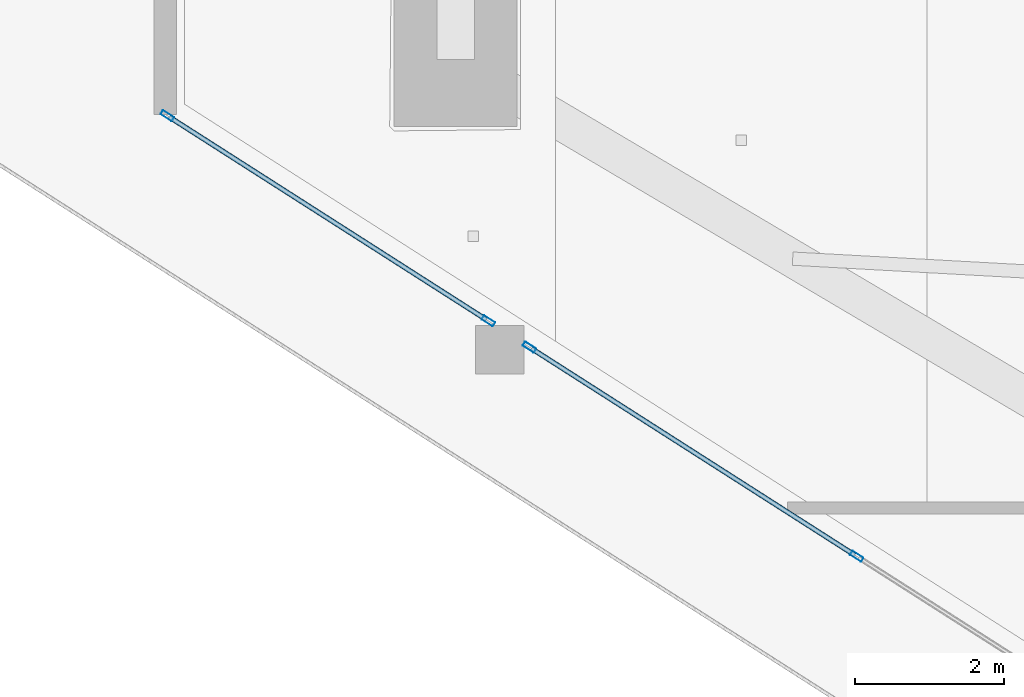
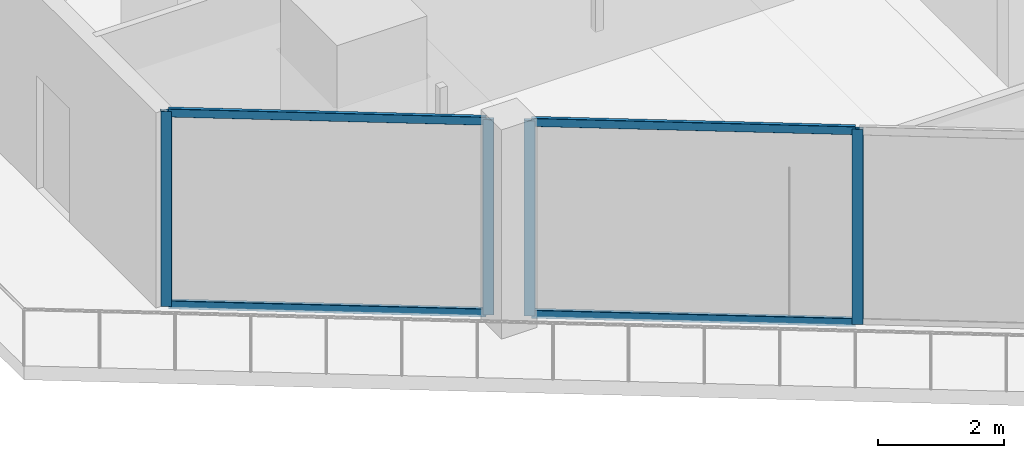
# One storey, part 6 of 33: 8 members, 2 elements without a shape of their own.
"""IFC4 building model written with IfcOpenShell, lengths in metres."""

from ifc_helpers import new_model, si_unit, direction, frame, origin, origin_2d, place, context, subcontext, project, spatial, hollow_rectangle, extrude, material, layer, layer_set, material_profile, profile_set, type_object, element, aggregate, save


model = new_model("IFC4")

# Units and contexts
model_context = context("Model", 3, precision=1e-05, world=origin(), true_north=direction((0.0, 1.0)))
body_context = subcontext(model_context, "Body", "Model", "MODEL_VIEW")
ifc_project = project(units=[si_unit("LENGTHUNIT", "METRE"), si_unit("AREAUNIT", "SQUARE_METRE"), si_unit("VOLUMEUNIT", "CUBIC_METRE"), si_unit("PLANEANGLEUNIT", "RADIAN"), si_unit("MASSUNIT", "GRAM", prefix="KILO")], contexts=[model_context])

# Site, building, storey
site_placement = place(None, origin())
site = spatial("IfcSite", under=ifc_project, at=site_placement, CompositionType="ELEMENT")
building_placement = place(site_placement, origin())
building = spatial("IfcBuilding", under=site, at=building_placement, Name="Qorvath Tower", CompositionType="ELEMENT")
storey_placement = place(building_placement, frame((0.0, 0.0, 221.25)))
storey = spatial("IfcBuildingStorey", under=building, at=storey_placement, Name="L51", CompositionType="ELEMENT", Elevation=221.25)

# Curtain wall, members
ifc_material_1 = material(Name="Anodised aluminium and triple low-E glass", Category="aluminium")
ifc_layer = layer(ifc_material_1, 0.179931640625)
ifc_layer_set = layer_set([ifc_layer], Name="CW-SYS-3")
curtain_wall_type = type_object("IfcCurtainWallType", Name="CW-SYS-3", PredefinedType="NOTDEFINED", material=ifc_layer_set)
curtain_wall_1_placement = place(storey_placement, origin())
curtain_wall_1 = element("IfcCurtainWall", 1, at=curtain_wall_1_placement, inside=storey, type_object=curtain_wall_type, Name="Curtain Wall CW-3 CW-T-L51-2.1", PredefinedType="NOTDEFINED")
ifc_material_2 = material(Name="Anodised aluminium 6063-T6", Category="aluminium")
ifc_material_profile_1 = material_profile(ifc_material_2, hollow_rectangle(XDim=0.06494140625, YDim=0.179931640625, WallThickness=0.00341796875, InnerFilletRadius=0.00341796875, OuterFilletRadius=0.007080078125, at=origin_2d()), Name="CWM 180x65")
ifc_profile_set_1 = profile_set([ifc_material_profile_1], Name="Anodised aluminium 6063-T6")
member_type_1 = type_object("IfcMemberType", Name="CWM-180", PredefinedType="MULLION", material=ifc_profile_set_1)
member_1_placement = place(storey_placement, frame((-53.04052734375, -3.284423828125, 0.0), z_axis=(0.0, 0.0, 1.0), x_axis=(0.53855312183, 0.842591558804, 0.0)))
member_1 = element("IfcMember", 2, at=member_1_placement, type_object=member_type_1, Name="CW-3 mullion 1", PredefinedType="MULLION", context=body_context, shape_type="SweptSolid", body=[
    extrude(hollow_rectangle(XDim=0.06494140625, YDim=0.179931640625, WallThickness=0.00341796875, InnerFilletRadius=0.00341796875, OuterFilletRadius=0.007080078125, at=origin_2d()), origin(), (0.0, 0.0, 1.0), 3.780029296875),
])
member_2_placement = place(storey_placement, frame((-48.7333984375, -6.037109375, 0.0), z_axis=(0.0, 0.0, 1.0), x_axis=(0.53855312183, 0.842591558804, 0.0)))
member_2 = element("IfcMember", 3, at=member_2_placement, type_object=member_type_1, Name="CW-3 mullion 2", PredefinedType="MULLION", context=body_context, shape_type="SweptSolid", body=[
    extrude(hollow_rectangle(XDim=0.06494140625, YDim=0.179931640625, WallThickness=0.00341796875, InnerFilletRadius=0.00341796875, OuterFilletRadius=0.007080078125, at=origin_2d()), origin(), (0.0, 0.0, 1.0), 3.780029296875),
])

curtain_wall_2_placement = place(storey_placement, origin())
curtain_wall_2 = element("IfcCurtainWall", 4, at=curtain_wall_2_placement, inside=storey, type_object=curtain_wall_type, Name="Curtain Wall CW-3 CW-T-L51-2.2", PredefinedType="NOTDEFINED")
member_3_placement = place(storey_placement, frame((-48.18115234375, -6.39013671875, 0.0), z_axis=(0.0, 0.0, 1.0), x_axis=(0.538534785809, 0.842603278224, 0.0)))
member_3 = element("IfcMember", 5, at=member_3_placement, type_object=member_type_1, Name="CW-3 mullion 1", PredefinedType="MULLION", context=body_context, shape_type="SweptSolid", body=[
    extrude(hollow_rectangle(XDim=0.06494140625, YDim=0.179931640625, WallThickness=0.00341796875, InnerFilletRadius=0.00341796875, OuterFilletRadius=0.007080078125, at=origin_2d()), origin(), (0.0, 0.0, 1.0), 3.780029296875),
])
member_4_placement = place(storey_placement, frame((-43.791259765625, -9.19580078125, 0.0), z_axis=(0.0, 0.0, 1.0), x_axis=(0.538534785809, 0.842603278224, 0.0)))
member_4 = element("IfcMember", 6, at=member_4_placement, type_object=member_type_1, Name="CW-3 mullion 2", PredefinedType="MULLION", context=body_context, shape_type="SweptSolid", body=[
    extrude(hollow_rectangle(XDim=0.06494140625, YDim=0.179931640625, WallThickness=0.00341796875, InnerFilletRadius=0.00341796875, OuterFilletRadius=0.007080078125, at=origin_2d()), origin(), (0.0, 0.0, 1.0), 3.780029296875),
])

# Member
ifc_material_3 = material(Name="Anodised aluminium 6063-T6", Category="aluminium")
ifc_material_profile_2 = material_profile(ifc_material_3, hollow_rectangle(XDim=0.06494140625, YDim=0.159912109375, WallThickness=0.00341796875, InnerFilletRadius=0.00341796875, OuterFilletRadius=0.007080078125, at=origin_2d()), Name="CWT 160x65")
ifc_profile_set_2 = profile_set([ifc_material_profile_2], Name="Anodised aluminium 6063-T6")
member_type_2 = type_object("IfcMemberType", Name="CWT-160", PredefinedType="USERDEFINED", material=ifc_profile_set_2)
member_5_placement = place(storey_placement, frame((-53.01318359375, -3.3017578125, 0.032470703125), z_axis=(0.842576132209, -0.538577256697, 0.0), x_axis=(0.538577256697, 0.842576132209, 0.0)))
member_5 = element("IfcMember", 7, at=member_5_placement, type_object=member_type_2, Name="CW-3 transom 1.1", ObjectType="TRANSOM", PredefinedType="USERDEFINED", context=body_context, shape_type="SweptSolid", body=[
    extrude(hollow_rectangle(XDim=0.06494140625, YDim=0.159912109375, WallThickness=0.00341796875, InnerFilletRadius=0.00341796875, OuterFilletRadius=0.007080078125, at=origin_2d()), origin(), (0.0, 0.0, 1.0), 5.046630859375),
])

member_6_placement = place(storey_placement, frame((-53.01318359375, -3.3017578125, 3.74755859375), z_axis=(0.842576132209, -0.538577256697, 0.0), x_axis=(0.538577256697, 0.842576132209, 0.0)))
member_6 = element("IfcMember", 8, at=member_6_placement, type_object=member_type_2, Name="CW-3 transom 1.2", ObjectType="TRANSOM", PredefinedType="USERDEFINED", context=body_context, shape_type="SweptSolid", body=[
    extrude(hollow_rectangle(XDim=0.06494140625, YDim=0.159912109375, WallThickness=0.00341796875, InnerFilletRadius=0.00341796875, OuterFilletRadius=0.007080078125, at=origin_2d()), origin(), (0.0, 0.0, 1.0), 5.046630859375),
])

aggregate(curtain_wall_1, [member_1, member_2, member_5, member_6])

member_7_placement = place(storey_placement, frame((-48.15380859375, -6.40771484375, 0.032470703125), z_axis=(0.842612520647, -0.538520324639, 0.0), x_axis=(0.538520324639, 0.842612520647, 0.0)))
member_7 = element("IfcMember", 9, at=member_7_placement, type_object=member_type_2, Name="CW-3 transom 1.1", ObjectType="TRANSOM", PredefinedType="USERDEFINED", context=body_context, shape_type="SweptSolid", body=[
    extrude(hollow_rectangle(XDim=0.06494140625, YDim=0.159912109375, WallThickness=0.00341796875, InnerFilletRadius=0.00341796875, OuterFilletRadius=0.007080078125, at=origin_2d()), origin(), (0.0, 0.0, 1.0), 5.144775390625),
])

member_8_placement = place(storey_placement, frame((-48.15380859375, -6.40771484375, 3.74755859375), z_axis=(0.842612520647, -0.538520324639, 0.0), x_axis=(0.538520324639, 0.842612520647, 0.0)))
member_8 = element("IfcMember", 10, at=member_8_placement, type_object=member_type_2, Name="CW-3 transom 1.2", ObjectType="TRANSOM", PredefinedType="USERDEFINED", context=body_context, shape_type="SweptSolid", body=[
    extrude(hollow_rectangle(XDim=0.06494140625, YDim=0.159912109375, WallThickness=0.00341796875, InnerFilletRadius=0.00341796875, OuterFilletRadius=0.007080078125, at=origin_2d()), origin(), (0.0, 0.0, 1.0), 5.144775390625),
])

aggregate(curtain_wall_2, [member_3, member_4, member_7, member_8])

save(model, "model.ifc")
